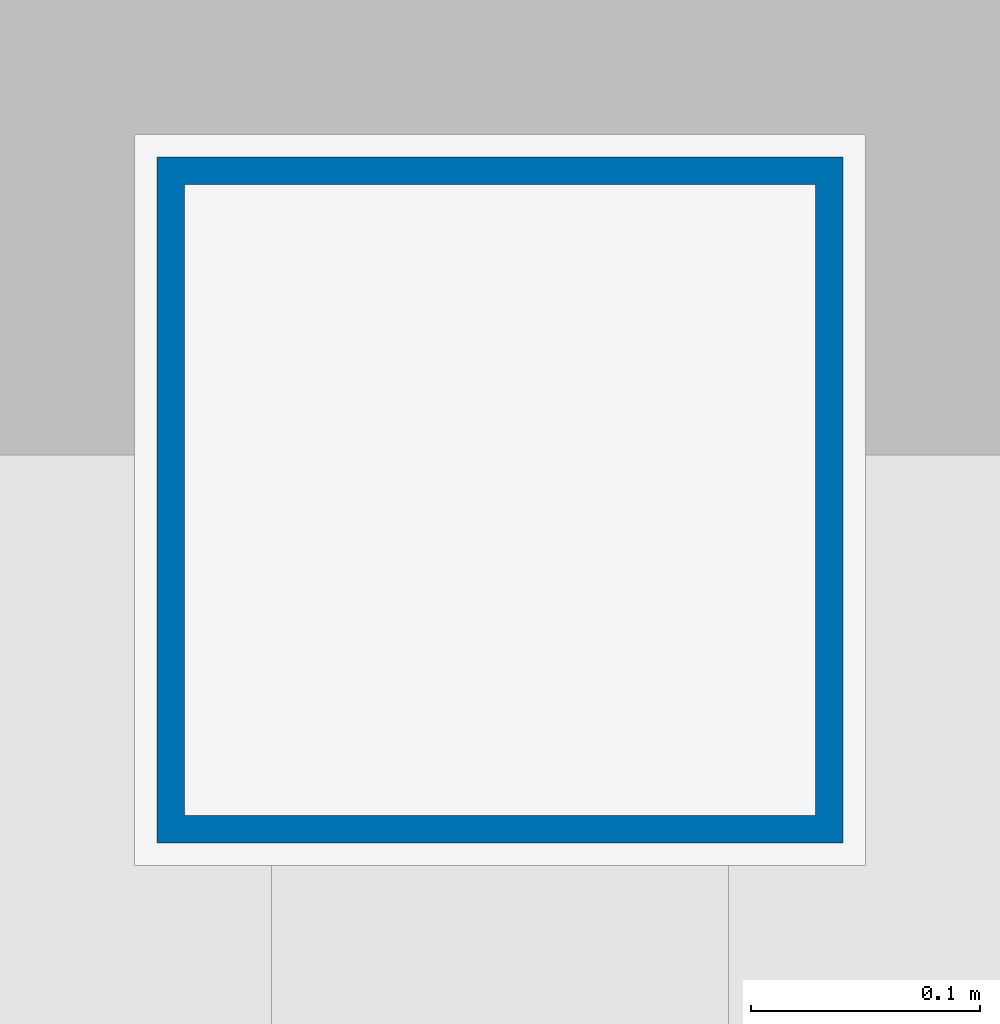
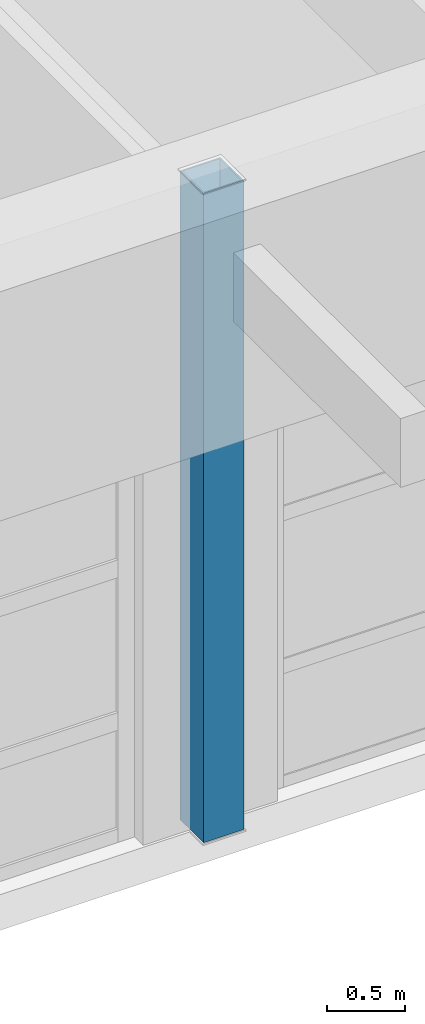
# One storey, part 7 of 78: 1 column.
"""IFC4 building model written with IfcOpenShell, lengths in metres."""

from ifc_helpers import new_model, si_unit, direction, frame, origin, origin_2d, place, context, subcontext, project, spatial, hollow_rectangle, extrude, material, material_profile, profile_set, type_object, element, save


model = new_model("IFC4")

# Units and contexts
model_context = context("Model", 3, precision=1e-05, world=origin(), true_north=direction((0.0, 1.0)))
body_context = subcontext(model_context, "Body", "Model", "MODEL_VIEW")
ifc_project = project(units=[si_unit("LENGTHUNIT", "METRE"), si_unit("AREAUNIT", "SQUARE_METRE"), si_unit("VOLUMEUNIT", "CUBIC_METRE"), si_unit("PLANEANGLEUNIT", "RADIAN"), si_unit("MASSUNIT", "GRAM", prefix="KILO")], contexts=[model_context])

# Site, building, storey
site_placement = place(None, origin())
site = spatial("IfcSite", under=ifc_project, at=site_placement, CompositionType="ELEMENT")
building_placement = place(site_placement, origin())
building = spatial("IfcBuilding", under=site, at=building_placement, Name="Quendrovan Civic Courthouse", CompositionType="ELEMENT")
storey_placement = place(building_placement, frame((0.0, 0.0, 20.39990234375)))
storey = spatial("IfcBuildingStorey", under=building, at=storey_placement, Name="L05", CompositionType="ELEMENT", Elevation=20.39990234375)

# Column
ifc_material = material(Name="Steel ASTM A500 Grade C", Category="steel")
ifc_material_profile = material_profile(ifc_material, hollow_rectangle(XDim=0.300048828125, YDim=0.300048828125, WallThickness=0.011962890625, at=origin_2d()), Name="HSS300x300x12")
ifc_profile_set = profile_set([ifc_material_profile], Name="Steel ASTM A500 Grade C")
column_type = type_object("IfcColumnType", Name="COL-STL-HSS300S", PredefinedType="COLUMN", material=ifc_profile_set)
column_placement = place(storey_placement, frame((126.0, 87.60009765625, 0.0), z_axis=(0.0, 0.0, 1.0), x_axis=(1.0, 0.0, 0.0)))
element("IfcColumn", 1, at=column_placement, inside=storey, type_object=column_type, Name="L05 Column 16-M", PredefinedType="COLUMN", context=body_context, shape_type="SweptSolid", body=[
    extrude(hollow_rectangle(XDim=0.300048828125, YDim=0.300048828125, WallThickness=0.011962890625, at=origin_2d()), origin(), (0.0, 0.0, 1.0), 5.10009765625),
])

save(model, "model.ifc")
